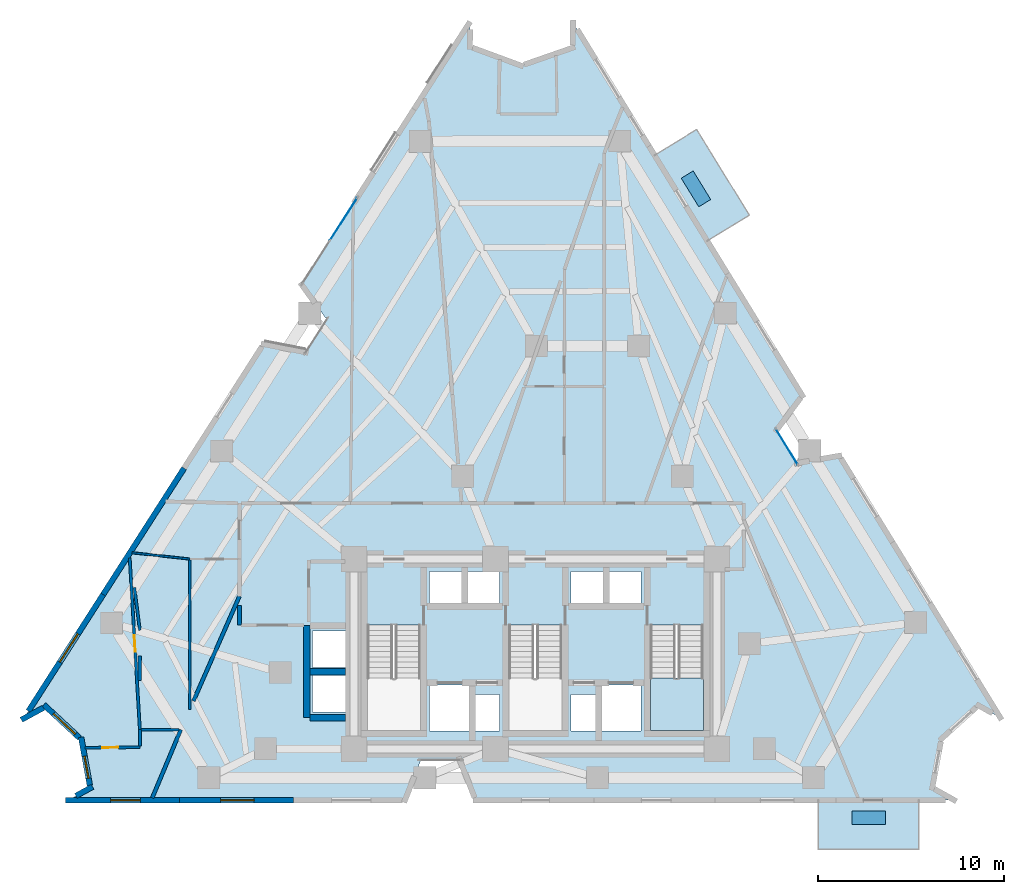
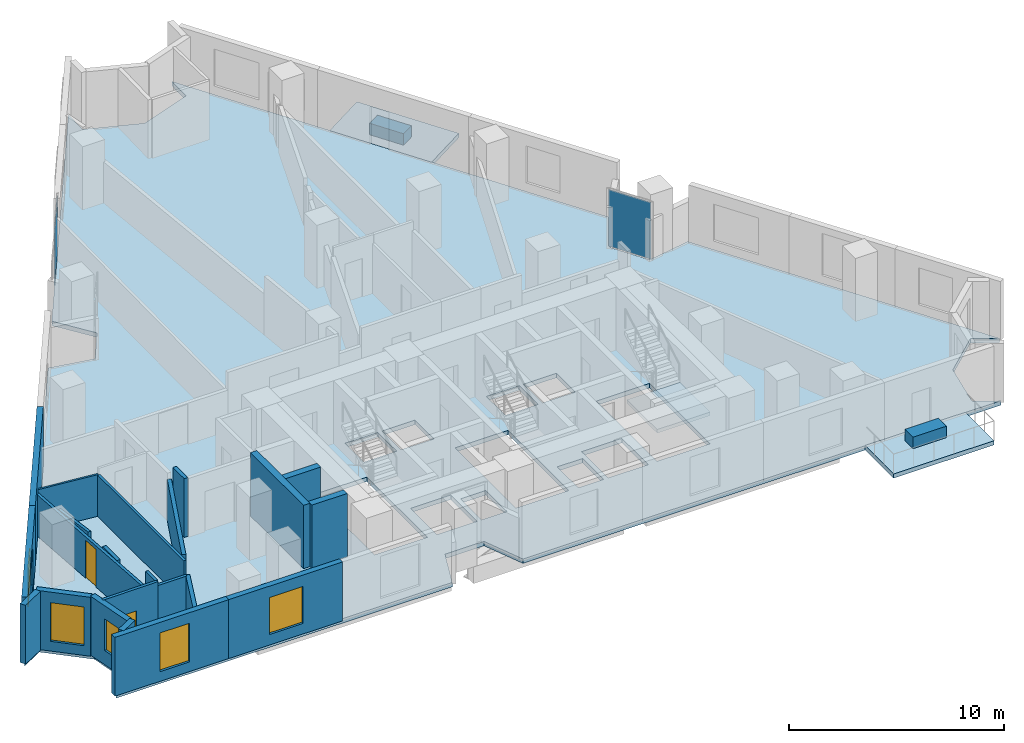
# One storey, part 6 of 13: 22 walls, 5 windows, 4 plates, 4 slabs, 2 doors, 7 openings, 3 elements without a shape of their own.
"""IFC4 building model written with IfcOpenShell, lengths in metres."""

from ifc_helpers import new_model, si_unit, direction, frame, frame_2d, origin, origin_2d, place, context, subcontext, project, spatial, polyline, rectangle, outline, extrude, material, layer, layer_set, type_object, element, fill, aggregate, save


model = new_model("IFC4")

# Units and contexts
model_context = context("Model", 3, precision=1e-05, world=origin(), true_north=direction((0.0, 1.0)))
body_context = subcontext(model_context, "Body", "Model", "MODEL_VIEW")
ifc_project = project(units=[si_unit("LENGTHUNIT", "METRE"), si_unit("AREAUNIT", "SQUARE_METRE"), si_unit("VOLUMEUNIT", "CUBIC_METRE"), si_unit("PLANEANGLEUNIT", "RADIAN"), si_unit("MASSUNIT", "GRAM", prefix="KILO")], contexts=[model_context])

# Site, building, storey
site_placement = place(None, origin())
site = spatial("IfcSite", under=ifc_project, at=site_placement, CompositionType="ELEMENT")
building_placement = place(site_placement, origin())
building = spatial("IfcBuilding", under=site, at=building_placement, Name="Almagre Mirador Tower", CompositionType="ELEMENT")
storey_placement = place(building_placement, frame((0.0, 0.0, 85.800048828125)))
storey = spatial("IfcBuildingStorey", under=building, at=storey_placement, Name="L21", CompositionType="ELEMENT", Elevation=85.800048828125)

# Curtain wall, plate
ifc_material_1 = material(Name="Black anodized aluminium", Category="aluminium")
ifc_layer_1 = layer(ifc_material_1, 0.169921875)
ifc_layer_set_1 = layer_set([ifc_layer_1], Name="Black anodized aluminium")
curtain_wall_type_1 = type_object("IfcCurtainWallType", Name="CW-CRS-SYS", PredefinedType="NOTDEFINED", material=ifc_layer_set_1)
curtain_wall_1_placement = place(storey_placement, origin())
curtain_wall_1 = element("IfcCurtainWall", 1, at=curtain_wall_1_placement, inside=storey, type_object=curtain_wall_type_1, Name="L21 vertical crease curtain wall 03", PredefinedType="NOTDEFINED")
ifc_material_2 = material(Name="Dark solar-control laminated hurricane glass", Category="glass")
ifc_layer_2 = layer(ifc_material_2, 0.028076171875)
ifc_layer_set_2 = layer_set([ifc_layer_2], Name="Dark solar-control laminated hurricane glass")
plate_type_1 = type_object("IfcPlateType", Name="PLT-GLZ-28", PredefinedType="CURTAIN_PANEL", material=ifc_layer_set_2)
plate_1_placement = place(storey_placement, frame((50.804443359375, 20.787109375, 0.06005859375), z_axis=(0.0, 0.0, 1.0), x_axis=(0.524007956934, -0.851713367906, 0.0)))
plate_1 = element("IfcPlate", 2, at=plate_1_placement, type_object=plate_type_1, Name="CW-4 panel 1.1", PredefinedType="CURTAIN_PANEL", context=body_context, shape_type="SweptSolid", body=[
    extrude(rectangle(XDim=2.249755859375, YDim=0.028076171875, at=origin_2d()), origin(), (0.0, 0.0, 1.0), 3.22998046875),
])
aggregate(curtain_wall_1, [plate_1])

ifc_material_3 = material(Name="Black anodized aluminium", Category="aluminium")
ifc_layer_3 = layer(ifc_material_3, 0.18994140625)
ifc_layer_set_3 = layer_set([ifc_layer_3], Name="Black anodized aluminium")
curtain_wall_type_2 = type_object("IfcCurtainWallType", Name="CW-RES-L-SYS", PredefinedType="NOTDEFINED", material=ifc_layer_set_3)
curtain_wall_2_placement = place(storey_placement, origin())
curtain_wall_2 = element("IfcCurtainWall", 3, at=curtain_wall_2_placement, inside=storey, type_object=curtain_wall_type_2, Name="L21 curtain wall run 02", PredefinedType="NOTDEFINED")
ifc_material_4 = material(Name="Dark solar-control laminated hurricane glass", Category="glass")
ifc_layer_4 = layer(ifc_material_4, 0.031982421875)
ifc_layer_set_4 = layer_set([ifc_layer_4], Name="Dark solar-control laminated hurricane glass")
plate_type_2 = type_object("IfcPlateType", Name="PLT-GLZ-32", PredefinedType="CURTAIN_PANEL", material=ifc_layer_set_4)
plate_2_placement = place(storey_placement, frame((26.998046875, 33.01318359375, 0.06005859375), z_axis=(0.0, 0.0, 1.0), x_axis=(0.539464627472, 0.842008263443, 0.0)))
plate_2 = element("IfcPlate", 4, at=plate_2_placement, type_object=plate_type_2, Name="CW-2 panel 2.1", PredefinedType="CURTAIN_PANEL", context=body_context, shape_type="SweptSolid", body=[
    extrude(rectangle(XDim=2.69873046875, YDim=0.031982421875, at=origin_2d()), origin(), (0.0, 0.0, 1.0), 3.22998046875),
])
aggregate(curtain_wall_2, [plate_2])

# Plates
ifc_material_5 = material(Name="Precast concrete C50/60", Category="concrete")
ifc_layer_5 = layer(ifc_material_5, 0.64990234375)
ifc_layer_set_5 = layer_set([ifc_layer_5], Name="Precast concrete C50/60")
plate_type_3 = type_object("IfcPlateType", Name="PLT-PLANTER-1800", PredefinedType="USERDEFINED", material=ifc_layer_set_5)
for number, where, z_axis, x_axis, name in (
    (5, (55.199951171875, 0.85009765625, 0.0), (0.0, 0.0, 1.0), (1.0, 0.0, 0.0), "L21 south balcony structural tree planter 1"),
    (6, (45.928955078125, 34.637939453125, 0.0), (0.0, 0.0, 1.0), (-0.523688565266, 0.851909787835, 0.0), "L21 east balcony structural tree planter 2"),
):
    element("IfcPlate", number, at=place(storey_placement, frame(where, z_axis=z_axis, x_axis=x_axis)), inside=storey, type_object=plate_type_3, Name=name, ObjectType="PLANTER", PredefinedType="USERDEFINED", context=body_context, shape_type="SweptSolid", body=[
        extrude(rectangle(XDim=1.800048828125, YDim=0.75, at=origin_2d()), origin(), (0.0, 0.0, 1.0), 0.64990234375),
    ])

# Slabs
ifc_material_6 = material(Name="Concrete C45/55", Category="concrete")
ifc_layer_6 = layer(ifc_material_6, 0.239990234375)
ifc_layer_set_6 = layer_set([ifc_layer_6], Name="Concrete C45/55")
slab_type_1 = type_object("IfcSlabType", Name="SLB-BAL-240", PredefinedType="USERDEFINED", material=ifc_layer_set_6)
slab_1_placement = place(storey_placement, frame((0.0, 0.0, -0.239990234375)))
element("IfcSlab", 7, at=slab_1_placement, inside=storey, type_object=slab_type_1, Name="L21 south planted tree balcony 1", ObjectType="BALCONY", PredefinedType="USERDEFINED", context=body_context, shape_type="SweptSolid", body=[
    extrude(outline(polyline([(52.5, 1.820068359375), (57.89990234375, 1.820068359375), (57.89990234375, -0.85009765625), (52.5, -0.85009765625), (52.5, 1.820068359375)])), origin(), (0.0, 0.0, 1.0), 0.239990234375),
])
slab_2_placement = place(storey_placement, frame((0.0, 0.0, -0.239990234375)))
element("IfcSlab", 8, at=slab_2_placement, inside=storey, type_object=slab_type_1, Name="L21 east planted tree balcony 2", ObjectType="BALCONY", PredefinedType="USERDEFINED", context=body_context, shape_type="SweptSolid", body=[
    extrude(outline(polyline([(46.51708984375, 31.830078125), (43.68896484375, 36.429931640625), (45.964111328125, 37.827880859375), (48.7919921875, 33.22802734375), (46.51708984375, 31.830078125)])), origin(), (0.0, 0.0, 1.0), 0.239990234375),
])
ifc_material_7 = material(Name="Concrete C45/55", Category="concrete")
ifc_layer_7 = layer(ifc_material_7, 0.25)
ifc_layer_set_7 = layer_set([ifc_layer_7], Name="Concrete C45/55")
slab_type_2 = type_object("IfcSlabType", Name="SLB-FLR-250", PredefinedType="FLOOR", material=ifc_layer_set_7)
slab_3_placement = place(storey_placement, frame((0.0, 0.0, -0.25)))
element("IfcSlab", 9, at=slab_3_placement, inside=storey, type_object=slab_type_2, Name="L21 structural floor slab", PredefinedType="FLOOR", context=body_context, shape_type="SweptSolid", body=[
    extrude(outline(polyline([(9.804931640625, 6.177978515625), (10.989990234375, 6.825927734375), (12.9169921875, 5.035888671875), (13.384033203125, 2.447998046875), (12.199951171875, 1.800048828125), (30.2919921875, 1.800048828125), (31.14697265625, 3.949951171875), (33.237060546875, 3.949951171875), (34.092041015625, 1.800048828125), (59.800048828125, 1.800048828125), (58.6220703125, 2.458984375), (59.114013671875, 5.091064453125), (61.09912109375, 6.888916015625), (62.277099609375, 6.22998046875), (53.631103515625, 20.2939453125), (51.35205078125, 19.89697265625), (50.257080078125, 21.677001953125), (51.64111328125, 23.531005859375), (39.322998046875, 43.570068359375), (39.31103515625, 42.219970703125), (36.537109375, 41.256103515625), (33.781982421875, 42.27197265625), (33.794921875, 43.6220703125), (24.743896484375, 29.4951171875), (26.093017578125, 27.614990234375), (24.966064453125, 25.85595703125), (22.694091796875, 26.2958984375), (9.804931640625, 6.177978515625)]), holes=[polyline([(43.47509765625, 11.196044921875), (46.324951171875, 11.196044921875), (46.324951171875, 5.550048828125), (43.47509765625, 5.550048828125), (43.47509765625, 11.196044921875)]), polyline([(40.820068359375, 5.52001953125), (40.820068359375, 7.97998046875), (42.97998046875, 7.97998046875), (42.97998046875, 5.52001953125), (40.820068359375, 5.52001953125)]), polyline([(41.219970703125, 12.320068359375), (41.219970703125, 14.080078125), (42.97998046875, 14.080078125), (42.97998046875, 12.320068359375), (41.219970703125, 12.320068359375)]), polyline([(39.219970703125, 12.320068359375), (39.219970703125, 14.080078125), (40.97998046875, 14.080078125), (40.97998046875, 12.320068359375), (39.219970703125, 12.320068359375)]), polyline([(39.219970703125, 5.52001953125), (39.219970703125, 7.47998046875), (40.580078125, 7.47998046875), (40.580078125, 5.52001953125), (39.219970703125, 5.52001953125)]), polyline([(35.875, 11.196044921875), (38.72509765625, 11.196044921875), (38.72509765625, 5.550048828125), (35.875, 5.550048828125), (35.875, 11.196044921875)]), polyline([(35.3798828125, 5.52001953125), (34.02001953125, 5.52001953125), (34.02001953125, 7.47998046875), (35.3798828125, 7.47998046875), (35.3798828125, 5.52001953125)]), polyline([(35.3798828125, 12.320068359375), (33.6201171875, 12.320068359375), (33.6201171875, 14.080078125), (35.3798828125, 14.080078125), (35.3798828125, 12.320068359375)]), polyline([(31.6201171875, 5.52001953125), (31.6201171875, 7.97998046875), (33.780029296875, 7.97998046875), (33.780029296875, 5.52001953125), (31.6201171875, 5.52001953125)]), polyline([(31.6201171875, 12.320068359375), (31.6201171875, 14.080078125), (33.3798828125, 14.080078125), (33.3798828125, 12.320068359375), (31.6201171875, 12.320068359375)]), polyline([(28.27490234375, 5.550048828125), (28.27490234375, 11.196044921875), (31.125, 11.196044921875), (31.125, 5.550048828125), (28.27490234375, 5.550048828125)]), polyline([(25.320068359375, 6.52001953125), (25.320068359375, 8.47998046875), (27.3798828125, 8.47998046875), (27.3798828125, 6.52001953125), (25.320068359375, 6.52001953125)]), polyline([(25.320068359375, 8.919921875), (25.320068359375, 10.8798828125), (27.3798828125, 10.8798828125), (27.3798828125, 8.919921875), (25.320068359375, 8.919921875)])]), origin(), (0.0, 0.0, 1.0), 0.25),
])

# Stair, slab
ifc_material_8 = material(Name="Concrete C45/55", Category="concrete")
stair_type = type_object("IfcStairType", Name="STR-DL-3600", PredefinedType="HALF_TURN_STAIR", material=ifc_material_8)
stair_placement = place(storey_placement, origin())
stair = element("IfcStair", 10, at=stair_placement, inside=storey, type_object=stair_type, Name="L21 Protected exit stair ST-3", PredefinedType="HALF_TURN_STAIR")
ifc_material_9 = material(Name="Concrete C45/55", Category="concrete")
ifc_layer_8 = layer(ifc_material_9, 0.199951171875)
ifc_layer_set_8 = layer_set([ifc_layer_8], Name="Concrete C45/55")
slab_type_3 = type_object("IfcSlabType", Name="SLB-LND-200", PredefinedType="LANDING", material=ifc_layer_set_8)
slab_4_placement = place(storey_placement, frame((0.0, 0.0, 1.599853515625)))
slab_4 = element("IfcSlab", 11, at=slab_4_placement, type_object=slab_type_3, Name="ST-3 landing 1", PredefinedType="LANDING", context=body_context, shape_type="SweptSolid", body=[
    extrude(outline(polyline([(43.47509765625, 8.35009765625), (43.47509765625, 5.550048828125), (46.324951171875, 5.550048828125), (46.324951171875, 8.35009765625), (43.47509765625, 8.35009765625)])), origin(), (0.0, 0.0, 1.0), 0.2001953125),
])
aggregate(stair, [slab_4])

# Wall, opening, window
ifc_material_10 = material(Name="Precast concrete C50/60", Category="concrete")
ifc_layer_9 = layer(ifc_material_10, 0.300048828125)
ifc_layer_set_9 = layer_set([ifc_layer_9], Name="Precast concrete C50/60")
wall_type_1 = type_object("IfcWallType", Name="WAL-EXT-300", PredefinedType="SOLIDWALL", material=ifc_layer_set_9)
wall_1_placement = place(storey_placement, frame((24.30810546875, 1.800048828125, 0.0), z_axis=(0.0, 0.0, 1.0), x_axis=(-1.0, 0.0, 0.0)))
wall_1 = element("IfcWall", 12, at=wall_1_placement, inside=storey, type_object=wall_type_1, Name="L21 expressed almagre precast frame wall 29", PredefinedType="SOLIDWALL", context=body_context, shape_type="SweptSolid", body=[
    extrude(rectangle(XDim=6.1240234375, YDim=0.300048828125, at=frame_2d((3.06201171875, 0.0))), origin(), (0.0, 0.0, 1.0), 3.349853515625),
])
opening_1_placement = place(wall_1_placement, frame((2.125, 0.0, 0.60009765625)))
opening_1 = element("IfcOpeningElement", 13, at=opening_1_placement, cuts=wall_1, Name="Opening WN-01", PredefinedType="OPENING", context=body_context, shape_type="SweptSolid", body=[
    extrude(rectangle(XDim=1.800048828125, YDim=2.10009765625, at=frame_2d((0.89990234375, 1.050048828125))), frame((0.0, 0.159902, 0.0), z_axis=(0.0, -1.0, 0.0), x_axis=(1.0, 0.0, 0.0)), (0.0, 0.0, 1.0), 0.320049),
])
ifc_material_11 = material(Name="Dark solar-control laminated hurricane glass", Category="glass")
window_type_1 = type_object("IfcWindowType", Name="WIN-1800X2100", PartitioningType="DOUBLE_PANEL_VERTICAL", PredefinedType="WINDOW", material=ifc_material_11)
window_1_placement = place(opening_1_placement, origin())
window_1 = element("IfcWindow", 14, at=window_1_placement, inside=storey, type_object=window_type_1, Name="L21 recessed hurricane window L21-RST-A", OverallHeight=2.10009765625, OverallWidth=1.800048828125, PartitioningType="SINGLE_PANEL", PredefinedType="WINDOW", context=body_context, shape_type="SweptSolid", body=[
    extrude(rectangle(XDim=1.800048828125, YDim=2.10009765625, at=frame_2d((0.89990234375, 1.050048828125))), frame((0.0, 0.030029296875, 0.0), z_axis=(0.0, -1.0, 0.0), x_axis=(1.0, 0.0, 0.0)), (0.0, 0.0, 1.0), 0.06005859375),
])
fill(opening_1, window_1)

wall_2_placement = place(storey_placement, frame((18.18408203125, 1.800048828125, 0.0), z_axis=(0.0, 0.0, 1.0), x_axis=(-1.0, 0.0, 0.0)))
wall_2 = element("IfcWall", 15, at=wall_2_placement, inside=storey, type_object=wall_type_1, Name="L21 expressed almagre precast frame wall 30", PredefinedType="SOLIDWALL", context=body_context, shape_type="SweptSolid", body=[
    extrude(rectangle(XDim=6.1240234375, YDim=0.300048828125, at=frame_2d((3.06201171875, 0.0))), origin(), (0.0, 0.0, 1.0), 3.349853515625),
])
opening_2_placement = place(wall_2_placement, frame((2.10009765625, 0.0, 0.550048828125)))
opening_2 = element("IfcOpeningElement", 16, at=opening_2_placement, cuts=wall_2, Name="Opening WN-06", PredefinedType="OPENING", context=body_context, shape_type="SweptSolid", body=[
    extrude(rectangle(XDim=1.60009765625, YDim=2.199951171875, at=frame_2d((0.800048828125, 1.10009765625))), frame((0.0, 0.159902, 0.0), z_axis=(0.0, -1.0, 0.0), x_axis=(1.0, 0.0, 0.0)), (0.0, 0.0, 1.0), 0.320049),
])
ifc_material_12 = material(Name="Dark solar-control laminated hurricane glass", Category="glass")
window_type_2 = type_object("IfcWindowType", Name="WIN-1600X2200", PartitioningType="DOUBLE_PANEL_VERTICAL", PredefinedType="WINDOW", material=ifc_material_12)
window_2_placement = place(opening_2_placement, origin())
window_2 = element("IfcWindow", 17, at=window_2_placement, inside=storey, type_object=window_type_2, Name="L21 recessed hurricane window L21-UC-HB", OverallHeight=2.199951171875, OverallWidth=1.60009765625, PartitioningType="SINGLE_PANEL", PredefinedType="WINDOW", context=body_context, shape_type="SweptSolid", body=[
    extrude(rectangle(XDim=1.60009765625, YDim=2.199951171875, at=frame_2d((0.800048828125, 1.10009765625))), frame((0.0, 0.030029296875, 0.0), z_axis=(0.0, -1.0, 0.0), x_axis=(1.0, 0.0, 0.0)), (0.0, 0.0, 1.0), 0.06005859375),
])
fill(opening_2, window_2)

# Wall
wall_3_placement = place(storey_placement, frame((12.6123046875, 2.025634765625, 0.0), z_axis=(0.0, 0.0, 1.0), x_axis=(0.877245120991, 0.480042704036, 0.0)))
element("IfcWall", 18, at=wall_3_placement, inside=storey, type_object=wall_type_1, Name="L21 expressed almagre precast frame wall 31", PredefinedType="SOLIDWALL", context=body_context, shape_type="SweptSolid", body=[
    extrude(rectangle(XDim=1.019775390625, YDim=0.300048828125, at=frame_2d((0.509765625, 0.0))), origin(), (0.0, 0.0, 1.0), 3.349853515625),
])

# Wall, opening, window
wall_4_placement = place(storey_placement, frame((13.360107421875, 2.580810546875, 0.0), z_axis=(0.0, 0.0, 1.0), x_axis=(-0.177621463404, 0.984098885142, 0.0)))
wall_4 = element("IfcWall", 19, at=wall_4_placement, inside=storey, type_object=wall_type_1, Name="L21 expressed almagre precast frame wall 32", PredefinedType="SOLIDWALL", context=body_context, shape_type="SweptSolid", body=[
    extrude(rectangle(XDim=2.635009765625, YDim=0.300048828125, at=frame_2d((1.3173828125, 0.0))), origin(), (0.0, 0.0, 1.0), 3.349853515625),
])
opening_3_placement = place(wall_4_placement, frame((0.39990234375, 0.0, 0.800048828125)))
opening_3 = element("IfcOpeningElement", 20, at=opening_3_placement, cuts=wall_4, Name="Opening WN-04", PredefinedType="OPENING", context=body_context, shape_type="SweptSolid", body=[
    extrude(rectangle(XDim=1.199951171875, YDim=1.800048828125, at=frame_2d((0.60009765625, 0.89990234375))), frame((0.0, 0.159902, 0.0), z_axis=(0.0, -1.0, 0.0), x_axis=(1.0, 0.0, 0.0)), (0.0, 0.0, 1.0), 0.320049),
])
ifc_material_13 = material(Name="Dark solar-control laminated hurricane glass", Category="glass")
window_type_3 = type_object("IfcWindowType", Name="WIN-1200X1800", PartitioningType="SINGLE_PANEL", PredefinedType="WINDOW", material=ifc_material_13)
window_3_placement = place(opening_3_placement, origin())
window_3 = element("IfcWindow", 21, at=window_3_placement, inside=storey, type_object=window_type_3, Name="L21 recessed hurricane window L21-UC-HB", OverallHeight=1.800048828125, OverallWidth=1.199951171875, PartitioningType="SINGLE_PANEL", PredefinedType="WINDOW", context=body_context, shape_type="SweptSolid", body=[
    extrude(rectangle(XDim=1.199951171875, YDim=1.800048828125, at=frame_2d((0.60009765625, 0.89990234375))), frame((0.0, 0.030029296875, 0.0), z_axis=(0.0, -1.0, 0.0), x_axis=(1.0, 0.0, 0.0)), (0.0, 0.0, 1.0), 0.06005859375),
])
fill(opening_3, window_3)

wall_5_placement = place(storey_placement, frame((12.809326171875, 5.135986328125, 0.0), z_axis=(0.0, 0.0, 1.0), x_axis=(-0.732640992678, 0.680615292105, 0.0)))
wall_5 = element("IfcWall", 22, at=wall_5_placement, inside=storey, type_object=wall_type_1, Name="L21 expressed almagre precast frame wall 33", PredefinedType="SOLIDWALL", context=body_context, shape_type="SweptSolid", body=[
    extrude(rectangle(XDim=2.623291015625, YDim=0.300048828125, at=frame_2d((1.3115234375, 0.0))), origin(), (0.0, 0.0, 1.0), 3.349853515625),
])
opening_4_placement = place(wall_5_placement, frame((0.31298828125, 0.0, 0.550048828125)))
opening_4 = element("IfcOpeningElement", 23, at=opening_4_placement, cuts=wall_5, Name="Opening WN-06", PredefinedType="OPENING", context=body_context, shape_type="SweptSolid", body=[
    extrude(rectangle(XDim=1.60009765625, YDim=2.199951171875, at=frame_2d((0.800048828125, 1.10009765625))), frame((0.0, 0.159902, 0.0), z_axis=(0.0, -1.0, 0.0), x_axis=(1.0, 0.0, 0.0)), (0.0, 0.0, 1.0), 0.320049),
])
window_4_placement = place(opening_4_placement, origin())
window_4 = element("IfcWindow", 24, at=window_4_placement, inside=storey, type_object=window_type_2, Name="L21 recessed hurricane window L21-UC-LV", OverallHeight=2.199951171875, OverallWidth=1.60009765625, PartitioningType="SINGLE_PANEL", PredefinedType="WINDOW", context=body_context, shape_type="SweptSolid", body=[
    extrude(rectangle(XDim=1.60009765625, YDim=2.199951171875, at=frame_2d((0.800048828125, 1.10009765625))), frame((0.0, 0.030029296875, 0.0), z_axis=(0.0, -1.0, 0.0), x_axis=(1.0, 0.0, 0.0)), (0.0, 0.0, 1.0), 0.06005859375),
])
fill(opening_4, window_4)

# Wall
wall_6_placement = place(storey_placement, frame((10.87158203125, 6.76123046875, 0.0), z_axis=(0.0, 0.0, 1.0), x_axis=(-0.877399567967, -0.479760354898, 0.0)))
element("IfcWall", 25, at=wall_6_placement, inside=storey, type_object=wall_type_1, Name="L21 expressed almagre precast frame wall 34", PredefinedType="SOLIDWALL", context=body_context, shape_type="SweptSolid", body=[
    extrude(rectangle(XDim=1.355712890625, YDim=0.300048828125, at=frame_2d((0.677734375, 0.0))), origin(), (0.0, 0.0, 1.0), 3.349853515625),
])

# Wall, opening, window
wall_7_placement = place(storey_placement, frame((10.061279296875, 6.577880859375, 0.0), z_axis=(0.0, 0.0, 1.0), x_axis=(0.539445524224, 0.84202050236, 0.0)))
wall_7 = element("IfcWall", 26, at=wall_7_placement, inside=storey, type_object=wall_type_1, Name="L21 expressed almagre precast frame wall 35", PredefinedType="SOLIDWALL", context=body_context, shape_type="SweptSolid", body=[
    extrude(rectangle(XDim=7.442626953125, YDim=0.300048828125, at=frame_2d((3.72119140625, 0.0))), origin(), (0.0, 0.0, 1.0), 3.349853515625),
])
opening_5_placement = place(wall_7_placement, frame((3.135009765625, 0.0, 0.60009765625)))
opening_5 = element("IfcOpeningElement", 27, at=opening_5_placement, cuts=wall_7, Name="Opening WN-01", PredefinedType="OPENING", context=body_context, shape_type="SweptSolid", body=[
    extrude(rectangle(XDim=1.800048828125, YDim=2.10009765625, at=frame_2d((0.89990234375, 1.050048828125))), frame((0.0, 0.159902, 0.0), z_axis=(0.0, -1.0, 0.0), x_axis=(1.0, 0.0, 0.0)), (0.0, 0.0, 1.0), 0.320049),
])
window_5_placement = place(opening_5_placement, origin())
window_5 = element("IfcWindow", 28, at=window_5_placement, inside=storey, type_object=window_type_1, Name="L21 recessed hurricane window L21-UC-LV", OverallHeight=2.10009765625, OverallWidth=1.800048828125, PartitioningType="SINGLE_PANEL", PredefinedType="WINDOW", context=body_context, shape_type="SweptSolid", body=[
    extrude(rectangle(XDim=1.800048828125, YDim=2.10009765625, at=frame_2d((0.89990234375, 1.050048828125))), frame((0.0, 0.030029296875, 0.0), z_axis=(0.0, -1.0, 0.0), x_axis=(1.0, 0.0, 0.0)), (0.0, 0.0, 1.0), 0.06005859375),
])
fill(opening_5, window_5)

# Walls
wall_8_placement = place(storey_placement, frame((14.076171875, 12.8447265625, 0.0), z_axis=(0.0, 0.0, 1.0), x_axis=(0.539449144613, 0.842018182925, 0.0)))
element("IfcWall", 29, at=wall_8_placement, inside=storey, type_object=wall_type_1, Name="L21 expressed almagre precast frame wall 36", PredefinedType="SOLIDWALL", context=body_context, shape_type="SweptSolid", body=[
    extrude(rectangle(XDim=8.0576171875, YDim=0.300048828125, at=frame_2d((4.02880859375, 0.0))), origin(), (0.0, 0.0, 1.0), 3.349853515625),
])
ifc_material_14 = material(Name="Gypsum acoustic stud partition", Category="other")
ifc_layer_10 = layer(ifc_material_14, 0.10009765625)
ifc_layer_set_10 = layer_set([ifc_layer_10], Name="Gypsum acoustic stud partition")
wall_type_2 = type_object("IfcWallType", Name="WAL-PRT-100-CLS", PredefinedType="PARTITIONING", material=ifc_layer_set_10)
wall_9_placement = place(storey_placement, frame((15.633056640625, 15.087890625, 0.0), z_axis=(0.0, 0.0, 1.0), x_axis=(0.994100640379, -0.108461591351, 0.0)))
element("IfcWall", 30, at=wall_9_placement, inside=storey, type_object=wall_type_2, Name="L21 interior partition 023", PredefinedType="PARTITIONING", context=body_context, shape_type="SweptSolid", body=[
    extrude(rectangle(XDim=3.115234375, YDim=0.10009765625, at=frame_2d((1.5576171875, 0.0))), origin(), (0.0, 0.0, 1.0), 2.369873046875),
])
ifc_material_15 = material(Name="Gypsum acoustic stud partition", Category="other")
ifc_layer_11 = layer(ifc_material_15, 0.125)
ifc_layer_set_11 = layer_set([ifc_layer_11], Name="Gypsum acoustic stud partition")
wall_type_3 = type_object("IfcWallType", Name="WAL-PRT-125-UTL", PredefinedType="PARTITIONING", material=ifc_layer_set_11)
wall_10_placement = place(storey_placement, frame((18.72998046875, 14.702392578125, 0.0), z_axis=(0.0, 0.0, 1.0), x_axis=(0.0, -1.0, 0.0)))
element("IfcWall", 31, at=wall_10_placement, inside=storey, type_object=wall_type_3, Name="L21 interior partition 026", PredefinedType="PARTITIONING", context=body_context, shape_type="SweptSolid", body=[
    extrude(rectangle(XDim=8.032470703125, YDim=0.125, at=frame_2d((4.01611328125, 0.0))), origin(), (0.0, 0.0, 1.0), 2.344970703125),
])

# Wall, opening, door
ifc_material_16 = material(Name="Gypsum acoustic stud partition", Category="other")
ifc_layer_12 = layer(ifc_material_16, 0.14990234375)
ifc_layer_set_12 = layer_set([ifc_layer_12], Name="Gypsum acoustic stud partition")
wall_type_4 = type_object("IfcWallType", Name="WAL-PRT-150-STD", PredefinedType="PARTITIONING", material=ifc_layer_set_12)
wall_11_placement = place(storey_placement, frame((13.093017578125, 4.60888671875, 0.0), z_axis=(0.0, 0.0, 1.0), x_axis=(0.999945032003, 0.010484892591, 0.0)))
wall_11 = element("IfcWall", 32, at=wall_11_placement, inside=storey, type_object=wall_type_4, Name="L21 interior partition 019", PredefinedType="PARTITIONING", context=body_context, shape_type="SweptSolid", body=[
    extrude(rectangle(XDim=2.957275390625, YDim=0.14990234375, at=frame_2d((1.478515625, 0.0))), origin(), (0.0, 0.0, 1.0), 3.349853515625),
])
opening_6_placement = place(wall_11_placement, frame((0.947509765625, 0.0, 0.0)))
opening_6 = element("IfcOpeningElement", 33, at=opening_6_placement, cuts=wall_11, Name="Opening UD-04", PredefinedType="OPENING", context=body_context, shape_type="SweptSolid", body=[
    extrude(rectangle(XDim=0.85009765625, YDim=2.10009765625, at=frame_2d((0.425048828125, 1.050048828125))), frame((0.0, 0.084951, 0.0), z_axis=(0.0, -1.0, 0.0), x_axis=(1.0, 0.0, 0.0)), (0.0, 0.0, 1.0), 0.169902),
])
ifc_material_17 = material(Name="Moisture-resistant oak timber", Category="wood")
door_type_1 = type_object("IfcDoorType", Name="DOR-UNR-850X2100", OperationType="NOTDEFINED", PredefinedType="DOOR", material=ifc_material_17)
door_1_placement = place(opening_6_placement, origin())
door_1 = element("IfcDoor", 34, at=door_1_placement, inside=storey, type_object=door_type_1, Name="DR-0726 L21 interior door L21-UC-LV to L21-UC-HB", OperationType="SINGLE_SWING_LEFT", OverallHeight=2.10009765625, OverallWidth=0.85009765625, PredefinedType="DOOR", context=body_context, shape_type="SweptSolid", body=[
    extrude(rectangle(XDim=0.85009765625, YDim=2.10009765625, at=frame_2d((0.425048828125, 1.050048828125))), frame((0.0, 0.02490234375, 0.0), z_axis=(0.0, -1.0, 0.0), x_axis=(1.0, 0.0, 0.0)), (0.0, 0.0, 1.0), 0.050048828125),
])
fill(opening_6, door_1)

# Wall
wall_12_placement = place(storey_placement, frame((16.050048828125, 4.699951171875, 0.0), z_axis=(0.0, 0.0, 1.0), x_axis=(0.0, 1.0, 0.0)))
element("IfcWall", 35, at=wall_12_placement, inside=storey, type_object=wall_type_4, Name="L21 interior partition 020", PredefinedType="PARTITIONING", context=body_context, shape_type="SweptSolid", body=[
    extrude(rectangle(XDim=0.880126953125, YDim=0.14990234375, at=frame_2d((0.43994140625, 0.0))), origin(), (0.0, 0.0, 1.0), 3.349853515625),
])

# Wall, opening, door
wall_13_placement = place(storey_placement, frame((16.050048828125, 5.580078125, 0.0), z_axis=(0.0, 0.0, 1.0), x_axis=(-0.059029848267, 0.998256218119, 0.0)))
wall_13 = element("IfcWall", 36, at=wall_13_placement, inside=storey, type_object=wall_type_4, Name="L21 interior partition 022", PredefinedType="PARTITIONING", context=body_context, shape_type="SweptSolid", body=[
    extrude(rectangle(XDim=9.251953125, YDim=0.14990234375, at=frame_2d((4.6259765625, 0.0))), origin(), (0.0, 0.0, 1.0), 2.344970703125),
])
opening_7_placement = place(wall_13_placement, frame((4.194091796875, 0.0, 0.0)))
opening_7 = element("IfcOpeningElement", 37, at=opening_7_placement, cuts=wall_13, Name="Opening UD-02", PredefinedType="OPENING", context=body_context, shape_type="SweptSolid", body=[
    extrude(rectangle(XDim=0.89990234375, YDim=2.14990234375, at=frame_2d((0.449951171875, 1.074951171875))), frame((0.0, 0.084951, 0.0), z_axis=(0.0, -1.0, 0.0), x_axis=(1.0, 0.0, 0.0)), (0.0, 0.0, 1.0), 0.169902),
])
ifc_material_18 = material(Name="Solid American walnut timber", Category="wood")
door_type_2 = type_object("IfcDoorType", Name="DOR-UNR-900X2150", OperationType="NOTDEFINED", PredefinedType="DOOR", material=ifc_material_18)
door_2_placement = place(opening_7_placement, origin())
door_2 = element("IfcDoor", 38, at=door_2_placement, inside=storey, type_object=door_type_2, Name="DR-0727 L21 interior door L21-UC-LV to L21-UC-MB", OperationType="SINGLE_SWING_RIGHT", OverallHeight=2.14990234375, OverallWidth=0.89990234375, PredefinedType="DOOR", context=body_context, shape_type="SweptSolid", body=[
    extrude(rectangle(XDim=0.89990234375, YDim=2.14990234375, at=frame_2d((0.449951171875, 1.074951171875))), frame((0.0, 0.02490234375, 0.0), z_axis=(0.0, -1.0, 0.0), x_axis=(1.0, 0.0, 0.0)), (0.0, 0.0, 1.0), 0.050048828125),
])
fill(opening_7, door_2)

# Walls
wall_14_placement = place(storey_placement, frame((18.1650390625, 5.580078125, 0.0), z_axis=(0.0, 0.0, 1.0), x_axis=(-1.0, 0.0, 0.0)))
element("IfcWall", 39, at=wall_14_placement, inside=storey, type_object=wall_type_4, Name="L21 interior partition 025", PredefinedType="PARTITIONING", context=body_context, shape_type="SweptSolid", body=[
    extrude(rectangle(XDim=2.054931640625, YDim=0.14990234375, at=frame_2d((1.02734375, 0.0))), origin(), (0.0, 0.0, 1.0), 2.369873046875),
])
wall_15_placement = place(storey_placement, frame((16.050048828125, 10.923095703125, 0.0), z_axis=(0.0, 0.0, 1.0), x_axis=(-0.126910859519, 0.99191412619, 0.0)))
element("IfcWall", 40, at=wall_15_placement, inside=storey, type_object=wall_type_4, Name="L21 interior partition 061", PredefinedType="PARTITIONING", context=body_context, shape_type="SweptSolid", body=[
    extrude(rectangle(XDim=2.308349609375, YDim=0.14990234375, at=frame_2d((1.154296875, 0.0))), origin(), (0.0, 0.0, 1.0), 2.344970703125),
])
ifc_material_19 = material(Name="Gypsum acoustic stud partition", Category="other")
ifc_layer_13 = layer(ifc_material_19, 0.175048828125)
ifc_layer_set_13 = layer_set([ifc_layer_13], Name="Gypsum acoustic stud partition")
wall_type_5 = type_object("IfcWallType", Name="WAL-PRT-175-AC", PredefinedType="PARTITIONING", material=ifc_layer_set_13)
wall_16_placement = place(storey_placement, frame((16.050048828125, 8.2119140625, 0.0), z_axis=(0.0, 0.0, 1.0), x_axis=(0.0, 1.0, 0.0)))
element("IfcWall", 41, at=wall_16_placement, inside=storey, type_object=wall_type_5, Name="L21 interior partition 060", PredefinedType="PARTITIONING", context=body_context, shape_type="SweptSolid", body=[
    extrude(rectangle(XDim=1.328125, YDim=0.175048828125, at=frame_2d((0.6640625, 0.0))), origin(), (0.0, 0.0, 1.0), 2.369873046875),
])
ifc_material_20 = material(Name="Gypsum acoustic stud partition", Category="other")
ifc_layer_14 = layer(ifc_material_20, 0.199951171875)
ifc_layer_set_14 = layer_set([ifc_layer_14], Name="Gypsum acoustic stud partition")
wall_type_6 = type_object("IfcWallType", Name="WAL-PRT-200-EI60", PredefinedType="PARTITIONING", material=ifc_layer_set_14)
wall_17_placement = place(storey_placement, frame((21.39990234375, 12.252685546875, 0.0), z_axis=(0.0, 0.0, 1.0), x_axis=(0.0, -1.0, 0.0)))
element("IfcWall", 42, at=wall_17_placement, inside=storey, type_object=wall_type_6, Name="L21 interior partition 001", PredefinedType="PARTITIONING", context=body_context, shape_type="SweptSolid", body=[
    extrude(rectangle(XDim=1.052734375, YDim=0.199951171875, at=frame_2d((0.5263671875, 0.0))), origin(), (0.0, 0.0, 1.0), 3.349853515625),
])
wall_18_placement = place(storey_placement, frame((18.25, 5.580078125, 0.0), z_axis=(0.0, 0.0, 1.0), x_axis=(-0.386465274931, -0.922303958179, 0.0)))
element("IfcWall", 43, at=wall_18_placement, inside=storey, type_object=wall_type_6, Name="L21 interior partition 015", PredefinedType="PARTITIONING", context=body_context, shape_type="SweptSolid", body=[
    extrude(rectangle(XDim=3.9716796875, YDim=0.199951171875, at=frame_2d((1.98583984375, 0.0))), origin(), (0.0, 0.0, 1.0), 2.369873046875),
])
wall_19_placement = place(storey_placement, frame((21.39990234375, 12.75, 0.0), z_axis=(0.0, 0.0, 1.0), x_axis=(-0.402081895534, -0.915603707553, 0.0)))
element("IfcWall", 44, at=wall_19_placement, inside=storey, type_object=wall_type_6, Name="L21 interior partition 016", PredefinedType="PARTITIONING", context=body_context, shape_type="SweptSolid", body=[
    extrude(rectangle(XDim=6.14306640625, YDim=0.199951171875, at=frame_2d((3.071533203125, 0.0))), origin(), (0.0, 0.0, 1.0), 2.344970703125),
])
ifc_material_21 = material(Name="Concrete C60/75", Category="concrete")
ifc_layer_15 = layer(ifc_material_21, 0.35009765625)
ifc_layer_set_15 = layer_set([ifc_layer_15], Name="Concrete C60/75")
wall_type_7 = type_object("IfcWallType", Name="WAL-SHF-350", PredefinedType="SOLIDWALL", material=ifc_layer_set_15)
wall_20_placement = place(storey_placement, frame((25.02490234375, 6.22509765625, 0.0), z_axis=(0.0, 0.0, 1.0), x_axis=(0.0, 1.0, 0.0)))
element("IfcWall", 45, at=wall_20_placement, inside=storey, type_object=wall_type_7, Name="L21 shaft wall OL-W", PredefinedType="SOLIDWALL", context=body_context, shape_type="SweptSolid", body=[
    extrude(rectangle(XDim=4.949951171875, YDim=0.35009765625, at=frame_2d((2.47509765625, 0.0))), origin(), (0.0, 0.0, 1.0), 3.599853515625),
])
for number, where, z_axis, x_axis, name in (
    (46, (25.199951171875, 6.22509765625, 0.0), (0.0, 0.0, 1.0), (1.0, 0.0, 0.0), "L21 shaft wall OL-S"),
    (47, (25.199951171875, 8.699951171875, 0.0), (0.0, 0.0, 1.0), (1.0, 0.0, 0.0), "L21 shaft wall OL-M"),
):
    element("IfcWall", number, at=place(storey_placement, frame(where, z_axis=z_axis, x_axis=x_axis)), inside=storey, type_object=wall_type_7, Name=name, PredefinedType="SOLIDWALL", context=body_context, shape_type="SweptSolid", body=[
        extrude(rectangle(XDim=1.900146484375, YDim=0.35009765625, at=frame_2d((0.9501953125, 0.0))), origin(), (0.0, 0.0, 1.0), 3.599853515625),
    ])

save(model, "model.ifc")
